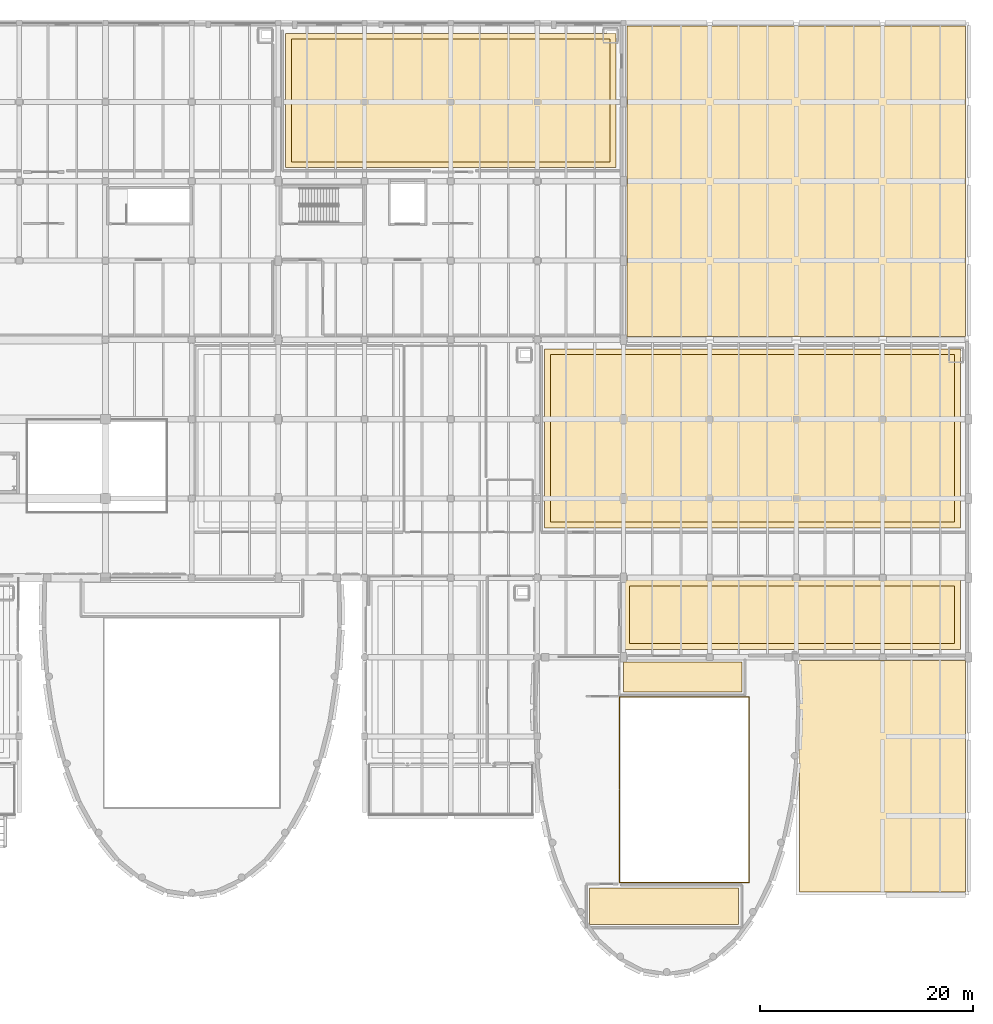
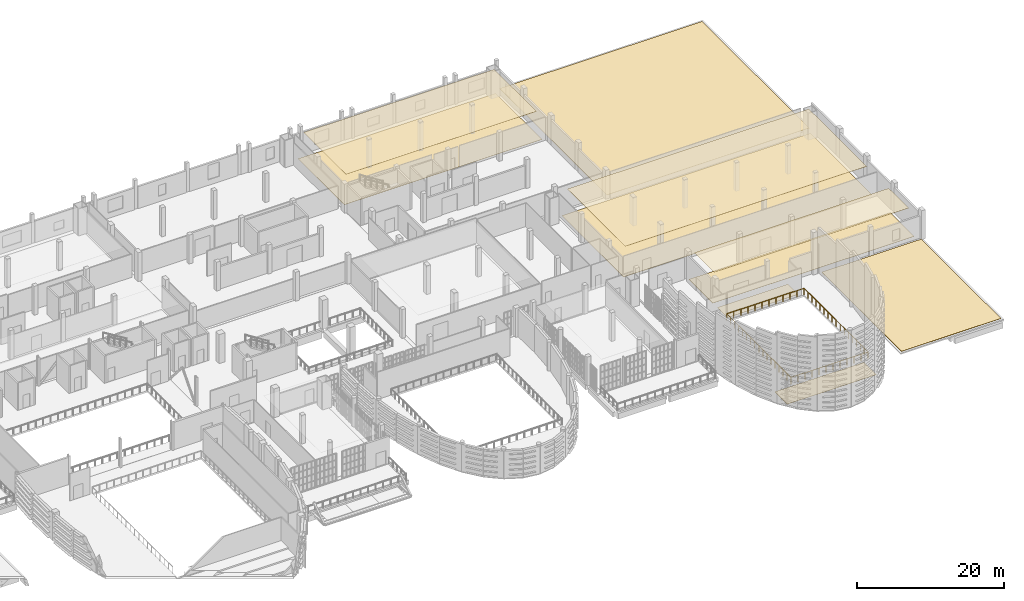
# One storey, part 104 of 104: 10 coverings, 2 railings.
"""IFC4 building model written with IfcOpenShell, lengths in metres."""

from ifc_helpers import new_model, si_unit, direction, frame, origin, origin_2d, place, context, subcontext, project, spatial, polyline, circle, outline, extrude, material, layer, layer_set, type_object, element, save


model = new_model("IFC4")

# Units and contexts
model_context = context("Model", 3, precision=1e-05, world=origin(), true_north=direction((0.0, 1.0)))
body_context = subcontext(model_context, "Body", "Model", "MODEL_VIEW")
ifc_project = project(units=[si_unit("LENGTHUNIT", "METRE"), si_unit("AREAUNIT", "SQUARE_METRE"), si_unit("VOLUMEUNIT", "CUBIC_METRE"), si_unit("PLANEANGLEUNIT", "RADIAN"), si_unit("MASSUNIT", "GRAM", prefix="KILO")], contexts=[model_context])

# Site, building, storey
site_placement = place(None, origin())
site = spatial("IfcSite", under=ifc_project, at=site_placement, CompositionType="ELEMENT")
building_placement = place(site_placement, origin())
building = spatial("IfcBuilding", under=site, at=building_placement, Name="Kaelora Sail Theatre", CompositionType="ELEMENT")
storey_placement = place(building_placement, frame((0.0, 0.0, 5.39990234375)))
storey = spatial("IfcBuildingStorey", under=building, at=storey_placement, Name="L01", CompositionType="ELEMENT", Elevation=5.39990234375)

# Coverings
ifc_material_1 = material(Name="Micro-perforated timber acoustic reflector", Category="wood")
ifc_layer_1 = layer(ifc_material_1, 0.050048828125)
ifc_layer_set_1 = layer_set([ifc_layer_1], Name="Micro-perforated timber acoustic reflector")
covering_type_1 = type_object("IfcCoveringType", Name="ARC-COV-CLG-AC-50", PredefinedType="CEILING", material=ifc_layer_set_1)
covering_1_placement = place(storey_placement, frame((0.0, 0.0, 4.55517578125)))
element("IfcCovering", 1, at=covering_1_placement, inside=storey, type_object=covering_type_1, Name="Acoustic ceiling L01-EXHIB", PredefinedType="CEILING", context=body_context, shape_type="SweptSolid", body=[
    extrude(outline(polyline([(124.25, 66.25), (162.14990234375, 66.25), (162.14990234375, 81.949951171875), (124.25, 81.949951171875), (124.25, 66.25)])), origin(), (0.0, 0.0, 1.0), 0.0498046875),
])
ifc_material_2 = material(Name="Suspended acoustic mineral-fibre ceiling", Category="gypsum")
ifc_layer_2 = layer(ifc_material_2, 0.034912109375)
ifc_layer_set_2 = layer_set([ifc_layer_2], Name="Suspended acoustic mineral-fibre ceiling")
covering_type_2 = type_object("IfcCoveringType", Name="ARC-COV-CLG-GYP-35", PredefinedType="CEILING", material=ifc_layer_set_2)
covering_2_placement = place(storey_placement, frame((0.0, 0.0, 4.570068359375)))
element("IfcCovering", 2, at=covering_2_placement, inside=storey, type_object=covering_type_2, Name="Acoustic ceiling L01-MEDIA-LAB", PredefinedType="CEILING", context=body_context, shape_type="SweptSolid", body=[
    extrude(outline(polyline([(131.64990234375, 54.85009765625), (162.14990234375, 54.85009765625), (162.14990234375, 60.25), (131.64990234375, 60.25), (131.64990234375, 54.85009765625)])), origin(), (0.0, 0.0, 1.0), 0.034912109375),
])
covering_3_placement = place(storey_placement, frame((0.0, 0.0, 4.505126953125)))
element("IfcCovering", 3, at=covering_3_placement, inside=storey, type_object=covering_type_2, Name="Acoustic ceiling L01-CHAMBER-ST", PredefinedType="CEILING", context=body_context, shape_type="SweptSolid", body=[
    extrude(outline(polyline([(99.949951171875, 100.050048828125), (129.85009765625, 100.050048828125), (129.85009765625, 111.550048828125), (99.949951171875, 111.550048828125), (99.949951171875, 100.050048828125)])), origin(), (0.0, 0.0, 1.0), 0.034912109375),
])
ifc_material_3 = material(Name="Acoustic rubber backstage studio flooring", Category="rubber")
ifc_layer_3 = layer(ifc_material_3, 0.02197265625)
ifc_layer_set_3 = layer_set([ifc_layer_3], Name="Acoustic rubber backstage studio flooring")
covering_type_3 = type_object("IfcCoveringType", Name="ARC-COV-FLR-AC-22", PredefinedType="FLOORING", material=ifc_layer_set_3)
covering_4_placement = place(storey_placement, origin())
element("IfcCovering", 4, at=covering_4_placement, inside=storey, type_object=covering_type_3, Name="Architectural flooring L01-GAL-BB-S", PredefinedType="FLOORING", context=body_context, shape_type="SweptSolid", body=[
    extrude(outline(polyline([(127.89990234375, 28.5), (141.89990234375, 28.5), (141.89990234375, 31.89990234375), (127.89990234375, 31.89990234375), (127.89990234375, 28.5)])), origin(), (0.0, 0.0, 1.0), 0.022216796875),
])
covering_5_placement = place(storey_placement, origin())
element("IfcCovering", 5, at=covering_5_placement, inside=storey, type_object=covering_type_3, Name="Architectural flooring L01-GAL-BB-N", PredefinedType="FLOORING", context=body_context, shape_type="SweptSolid", body=[
    extrude(outline(polyline([(131.10009765625, 50.300048828125), (142.199951171875, 50.300048828125), (142.199951171875, 53.10009765625), (131.10009765625, 53.10009765625), (131.10009765625, 50.300048828125)])), origin(), (0.0, 0.0, 1.0), 0.022216796875),
])
ifc_material_4 = material(Name="Sprung West African iroko stage and dance floor", Category="timber")
ifc_layer_4 = layer(ifc_material_4, 0.028076171875)
ifc_layer_set_4 = layer_set([ifc_layer_4], Name="Sprung West African iroko stage and dance floor")
covering_type_4 = type_object("IfcCoveringType", Name="ARC-COV-FLR-OAK-28", PredefinedType="FLOORING", material=ifc_layer_set_4)
covering_6_placement = place(storey_placement, origin())
element("IfcCovering", 6, at=covering_6_placement, inside=storey, type_object=covering_type_4, Name="Architectural flooring L01-MEDIA-LAB", PredefinedType="FLOORING", context=body_context, shape_type="SweptSolid", body=[
    extrude(outline(polyline([(131.10009765625, 54.300048828125), (162.699951171875, 54.300048828125), (162.699951171875, 60.800048828125), (131.10009765625, 60.800048828125), (131.10009765625, 54.300048828125)])), origin(), (0.0, 0.0, 1.0), 0.028076171875),
])
covering_7_placement = place(storey_placement, origin())
element("IfcCovering", 7, at=covering_7_placement, inside=storey, type_object=covering_type_4, Name="Architectural flooring L01-CHAMBER-ST", PredefinedType="FLOORING", context=body_context, shape_type="SweptSolid", body=[
    extrude(outline(polyline([(99.39990234375, 99.5), (130.39990234375, 99.5), (130.39990234375, 112.10009765625), (99.39990234375, 112.10009765625), (99.39990234375, 99.5)])), origin(), (0.0, 0.0, 1.0), 0.028076171875),
])
ifc_material_5 = material(Name="Polished basalt-terrazzo foyer flooring", Category="masonry")
ifc_layer_5 = layer(ifc_material_5, 0.031982421875)
ifc_layer_set_5 = layer_set([ifc_layer_5], Name="Polished basalt-terrazzo foyer flooring")
covering_type_5 = type_object("IfcCoveringType", Name="ARC-COV-FLR-TRZ-32", PredefinedType="FLOORING", material=ifc_layer_set_5)
covering_8_placement = place(storey_placement, origin())
element("IfcCovering", 8, at=covering_8_placement, inside=storey, type_object=covering_type_5, Name="Architectural flooring L01-EXHIB", PredefinedType="FLOORING", context=body_context, shape_type="SweptSolid", body=[
    extrude(outline(polyline([(123.699951171875, 65.699951171875), (162.699951171875, 65.699951171875), (162.699951171875, 82.5), (123.699951171875, 82.5), (123.699951171875, 65.699951171875)])), origin(), (0.0, 0.0, 1.0), 0.031982421875),
])
ifc_material_6 = material(Name="Standing-seam titanium-zinc and TPO membrane", Category="metal")
ifc_layer_6 = layer(ifc_material_6, 0.044921875)
ifc_layer_set_6 = layer_set([ifc_layer_6], Name="Standing-seam titanium-zinc and TPO membrane")
covering_type_6 = type_object("IfcCoveringType", Name="ARC-COV-RFM", PredefinedType="ROOFING", material=ifc_layer_set_6)
covering_9_placement = place(storey_placement, origin())
element("IfcCovering", 9, at=covering_9_placement, inside=storey, type_object=covering_type_6, Name="Standing-seam titanium-zinc roofing COLE", PredefinedType="ROOFING", context=body_context, shape_type="SweptSolid", body=[
    extrude(outline(polyline([(147.60009765625, 31.56005859375), (163.199951171875, 31.56005859375), (163.199951171875, 53.25), (147.60009765625, 53.25), (147.60009765625, 31.56005859375)])), origin(), (0.0, 0.0, 1.0), 0.045166015625),
])
covering_10_placement = place(storey_placement, origin())
element("IfcCovering", 10, at=covering_10_placement, inside=storey, type_object=covering_type_6, Name="Standing-seam titanium-zinc roofing NW5", PredefinedType="ROOFING", context=body_context, shape_type="SweptSolid", body=[
    extrude(outline(polyline([(131.429931640625, 83.659912109375), (163.199951171875, 83.659912109375), (163.199951171875, 112.800048828125), (131.429931640625, 112.800048828125), (131.429931640625, 83.659912109375)])), origin(), (0.0, 0.0, 1.0), 0.045166015625),
])

# Railings
ifc_material_7 = material(Name="Acoustic bronze and laminated glass balcony balustrade", Category="glass")
railing_type = type_object("IfcRailingType", Name="ARC-RL-BAL", PredefinedType="BALUSTRADE", material=ifc_material_7)
railing_1_placement = place(storey_placement, frame((130.739990234375, 41.10009765625, 0.0)))
element("IfcRailing", 11, at=railing_1_placement, inside=storey, type_object=railing_type, Name="Interior void balustrade AUD-B1 south", PredefinedType="BALUSTRADE", context=body_context, shape_type="SweptSolid", body=[
    extrude(circle(Radius=0.02392578125, at=origin_2d()), frame((0.0, 0.0, 1.076171875), z_axis=(0.0, -1.0, 0.0), x_axis=(1.0, 0.0, 0.0)), (0.0, 0.0, 1.0), 8.66015625),
    extrude(circle(Radius=0.02392578125, at=origin_2d()), frame((0.0, -8.66015625, 1.076171875), z_axis=(1.0, 0.0, 0.0), x_axis=(0.0, 1.0, 0.0)), (0.0, 0.0, 1.0), 12.1201171875),
    extrude(circle(Radius=0.02392578125, at=origin_2d()), frame((12.1201171875, -8.66015625, 1.076171875), z_axis=(0.0, 1.0, 0.0), x_axis=(-1.0, 0.0, 0.0)), (0.0, 0.0, 1.0), 8.66015625),
    extrude(circle(Radius=0.02099609375, at=origin_2d()), origin(), (0.0, 0.0, 1.0), 1.052001953125),
    extrude(circle(Radius=0.02099609375, at=origin_2d()), frame((0.0, -1.08251953125, 0.0)), (0.0, 0.0, 1.0), 1.052001953125),
    extrude(circle(Radius=0.02099609375, at=origin_2d()), frame((0.0, -2.1650390625, 0.0)), (0.0, 0.0, 1.0), 1.052001953125),
    extrude(circle(Radius=0.02099609375, at=origin_2d()), frame((0.0, -3.24755859375, 0.0)), (0.0, 0.0, 1.0), 1.052001953125),
    extrude(circle(Radius=0.02099609375, at=origin_2d()), frame((0.0, -4.330078125, 0.0)), (0.0, 0.0, 1.0), 1.052001953125),
    extrude(circle(Radius=0.02099609375, at=origin_2d()), frame((0.0, -5.41259765625, 0.0)), (0.0, 0.0, 1.0), 1.052001953125),
    extrude(circle(Radius=0.02099609375, at=origin_2d()), frame((0.0, -6.4951171875, 0.0)), (0.0, 0.0, 1.0), 1.052001953125),
    extrude(circle(Radius=0.02099609375, at=origin_2d()), frame((0.0, -7.57763671875, 0.0)), (0.0, 0.0, 1.0), 1.052001953125),
    extrude(circle(Radius=0.02099609375, at=origin_2d()), frame((0.0, -8.66015625, 0.0)), (0.0, 0.0, 1.0), 1.052001953125),
    extrude(circle(Radius=0.02099609375, at=origin_2d()), frame((1.101806640625, -8.66015625, 0.0)), (0.0, 0.0, 1.0), 1.052001953125),
    extrude(circle(Radius=0.02099609375, at=origin_2d()), frame((2.20361328125, -8.66015625, 0.0)), (0.0, 0.0, 1.0), 1.052001953125),
    extrude(circle(Radius=0.02099609375, at=origin_2d()), frame((3.305419921875, -8.66015625, 0.0)), (0.0, 0.0, 1.0), 1.052001953125),
    extrude(circle(Radius=0.02099609375, at=origin_2d()), frame((4.4072265625, -8.66015625, 0.0)), (0.0, 0.0, 1.0), 1.052001953125),
    extrude(circle(Radius=0.02099609375, at=origin_2d()), frame((5.509033203125, -8.66015625, 0.0)), (0.0, 0.0, 1.0), 1.052001953125),
    extrude(circle(Radius=0.02099609375, at=origin_2d()), frame((6.611083984375, -8.66015625, 0.0)), (0.0, 0.0, 1.0), 1.052001953125),
    extrude(circle(Radius=0.02099609375, at=origin_2d()), frame((7.712890625, -8.66015625, 0.0)), (0.0, 0.0, 1.0), 1.052001953125),
    extrude(circle(Radius=0.02099609375, at=origin_2d()), frame((8.814697265625, -8.66015625, 0.0)), (0.0, 0.0, 1.0), 1.052001953125),
    extrude(circle(Radius=0.02099609375, at=origin_2d()), frame((9.91650390625, -8.66015625, 0.0)), (0.0, 0.0, 1.0), 1.052001953125),
    extrude(circle(Radius=0.02099609375, at=origin_2d()), frame((11.018310546875, -8.66015625, 0.0)), (0.0, 0.0, 1.0), 1.052001953125),
    extrude(circle(Radius=0.02099609375, at=origin_2d()), frame((12.1201171875, -8.66015625, 0.0)), (0.0, 0.0, 1.0), 1.052001953125),
    extrude(circle(Radius=0.02099609375, at=origin_2d()), frame((12.1201171875, -7.57763671875, 0.0)), (0.0, 0.0, 1.0), 1.052001953125),
    extrude(circle(Radius=0.02099609375, at=origin_2d()), frame((12.1201171875, -6.4951171875, 0.0)), (0.0, 0.0, 1.0), 1.052001953125),
    extrude(circle(Radius=0.02099609375, at=origin_2d()), frame((12.1201171875, -5.41259765625, 0.0)), (0.0, 0.0, 1.0), 1.052001953125),
    extrude(circle(Radius=0.02099609375, at=origin_2d()), frame((12.1201171875, -4.330078125, 0.0)), (0.0, 0.0, 1.0), 1.052001953125),
    extrude(circle(Radius=0.02099609375, at=origin_2d()), frame((12.1201171875, -3.24755859375, 0.0)), (0.0, 0.0, 1.0), 1.052001953125),
    extrude(circle(Radius=0.02099609375, at=origin_2d()), frame((12.1201171875, -2.1650390625, 0.0)), (0.0, 0.0, 1.0), 1.052001953125),
    extrude(circle(Radius=0.02099609375, at=origin_2d()), frame((12.1201171875, -1.08251953125, 0.0)), (0.0, 0.0, 1.0), 1.052001953125),
    extrude(circle(Radius=0.02099609375, at=origin_2d()), frame((12.1201171875, 0.0, 0.0)), (0.0, 0.0, 1.0), 1.052001953125),
])
railing_2_placement = place(storey_placement, frame((142.860107421875, 41.199951171875, 0.0)))
element("IfcRailing", 12, at=railing_2_placement, inside=storey, type_object=railing_type, Name="Interior void balustrade AUD-B1 north", PredefinedType="BALUSTRADE", context=body_context, shape_type="SweptSolid", body=[
    extrude(circle(Radius=0.02392578125, at=origin_2d()), frame((0.0, 0.0, 1.076171875), z_axis=(0.0, 1.0, 0.0), x_axis=(-1.0, 0.0, 0.0)), (0.0, 0.0, 1.0), 8.66015625),
    extrude(circle(Radius=0.02392578125, at=origin_2d()), frame((0.0, 8.66015625, 1.076171875), z_axis=(-1.0, 0.0, 0.0), x_axis=(0.0, -1.0, 0.0)), (0.0, 0.0, 1.0), 12.1201171875),
    extrude(circle(Radius=0.02392578125, at=origin_2d()), frame((-12.1201171875, 8.66015625, 1.076171875), z_axis=(0.0, -1.0, 0.0), x_axis=(1.0, 0.0, 0.0)), (0.0, 0.0, 1.0), 8.66015625),
    extrude(circle(Radius=0.02099609375, at=origin_2d()), origin(), (0.0, 0.0, 1.0), 1.052001953125),
    extrude(circle(Radius=0.02099609375, at=origin_2d()), frame((0.0, 1.08251953125, 0.0)), (0.0, 0.0, 1.0), 1.052001953125),
    extrude(circle(Radius=0.02099609375, at=origin_2d()), frame((0.0, 2.1650390625, 0.0)), (0.0, 0.0, 1.0), 1.052001953125),
    extrude(circle(Radius=0.02099609375, at=origin_2d()), frame((0.0, 3.24755859375, 0.0)), (0.0, 0.0, 1.0), 1.052001953125),
    extrude(circle(Radius=0.02099609375, at=origin_2d()), frame((0.0, 4.330078125, 0.0)), (0.0, 0.0, 1.0), 1.052001953125),
    extrude(circle(Radius=0.02099609375, at=origin_2d()), frame((0.0, 5.41259765625, 0.0)), (0.0, 0.0, 1.0), 1.052001953125),
    extrude(circle(Radius=0.02099609375, at=origin_2d()), frame((0.0, 6.4951171875, 0.0)), (0.0, 0.0, 1.0), 1.052001953125),
    extrude(circle(Radius=0.02099609375, at=origin_2d()), frame((0.0, 7.57763671875, 0.0)), (0.0, 0.0, 1.0), 1.052001953125),
    extrude(circle(Radius=0.02099609375, at=origin_2d()), frame((0.0, 8.66015625, 0.0)), (0.0, 0.0, 1.0), 1.052001953125),
    extrude(circle(Radius=0.02099609375, at=origin_2d()), frame((-1.101806640625, 8.66015625, 0.0)), (0.0, 0.0, 1.0), 1.052001953125),
    extrude(circle(Radius=0.02099609375, at=origin_2d()), frame((-2.20361328125, 8.66015625, 0.0)), (0.0, 0.0, 1.0), 1.052001953125),
    extrude(circle(Radius=0.02099609375, at=origin_2d()), frame((-3.305419921875, 8.66015625, 0.0)), (0.0, 0.0, 1.0), 1.052001953125),
    extrude(circle(Radius=0.02099609375, at=origin_2d()), frame((-4.4072265625, 8.66015625, 0.0)), (0.0, 0.0, 1.0), 1.052001953125),
    extrude(circle(Radius=0.02099609375, at=origin_2d()), frame((-5.509033203125, 8.66015625, 0.0)), (0.0, 0.0, 1.0), 1.052001953125),
    extrude(circle(Radius=0.02099609375, at=origin_2d()), frame((-6.611083984375, 8.66015625, 0.0)), (0.0, 0.0, 1.0), 1.052001953125),
    extrude(circle(Radius=0.02099609375, at=origin_2d()), frame((-7.712890625, 8.66015625, 0.0)), (0.0, 0.0, 1.0), 1.052001953125),
    extrude(circle(Radius=0.02099609375, at=origin_2d()), frame((-8.814697265625, 8.66015625, 0.0)), (0.0, 0.0, 1.0), 1.052001953125),
    extrude(circle(Radius=0.02099609375, at=origin_2d()), frame((-9.91650390625, 8.66015625, 0.0)), (0.0, 0.0, 1.0), 1.052001953125),
    extrude(circle(Radius=0.02099609375, at=origin_2d()), frame((-11.018310546875, 8.66015625, 0.0)), (0.0, 0.0, 1.0), 1.052001953125),
    extrude(circle(Radius=0.02099609375, at=origin_2d()), frame((-12.1201171875, 8.66015625, 0.0)), (0.0, 0.0, 1.0), 1.052001953125),
    extrude(circle(Radius=0.02099609375, at=origin_2d()), frame((-12.1201171875, 7.57763671875, 0.0)), (0.0, 0.0, 1.0), 1.052001953125),
    extrude(circle(Radius=0.02099609375, at=origin_2d()), frame((-12.1201171875, 6.4951171875, 0.0)), (0.0, 0.0, 1.0), 1.052001953125),
    extrude(circle(Radius=0.02099609375, at=origin_2d()), frame((-12.1201171875, 5.41259765625, 0.0)), (0.0, 0.0, 1.0), 1.052001953125),
    extrude(circle(Radius=0.02099609375, at=origin_2d()), frame((-12.1201171875, 4.330078125, 0.0)), (0.0, 0.0, 1.0), 1.052001953125),
    extrude(circle(Radius=0.02099609375, at=origin_2d()), frame((-12.1201171875, 3.24755859375, 0.0)), (0.0, 0.0, 1.0), 1.052001953125),
    extrude(circle(Radius=0.02099609375, at=origin_2d()), frame((-12.1201171875, 2.1650390625, 0.0)), (0.0, 0.0, 1.0), 1.052001953125),
    extrude(circle(Radius=0.02099609375, at=origin_2d()), frame((-12.1201171875, 1.08251953125, 0.0)), (0.0, 0.0, 1.0), 1.052001953125),
    extrude(circle(Radius=0.02099609375, at=origin_2d()), frame((-12.1201171875, 0.0, 0.0)), (0.0, 0.0, 1.0), 1.052001953125),
])

save(model, "model.ifc")
